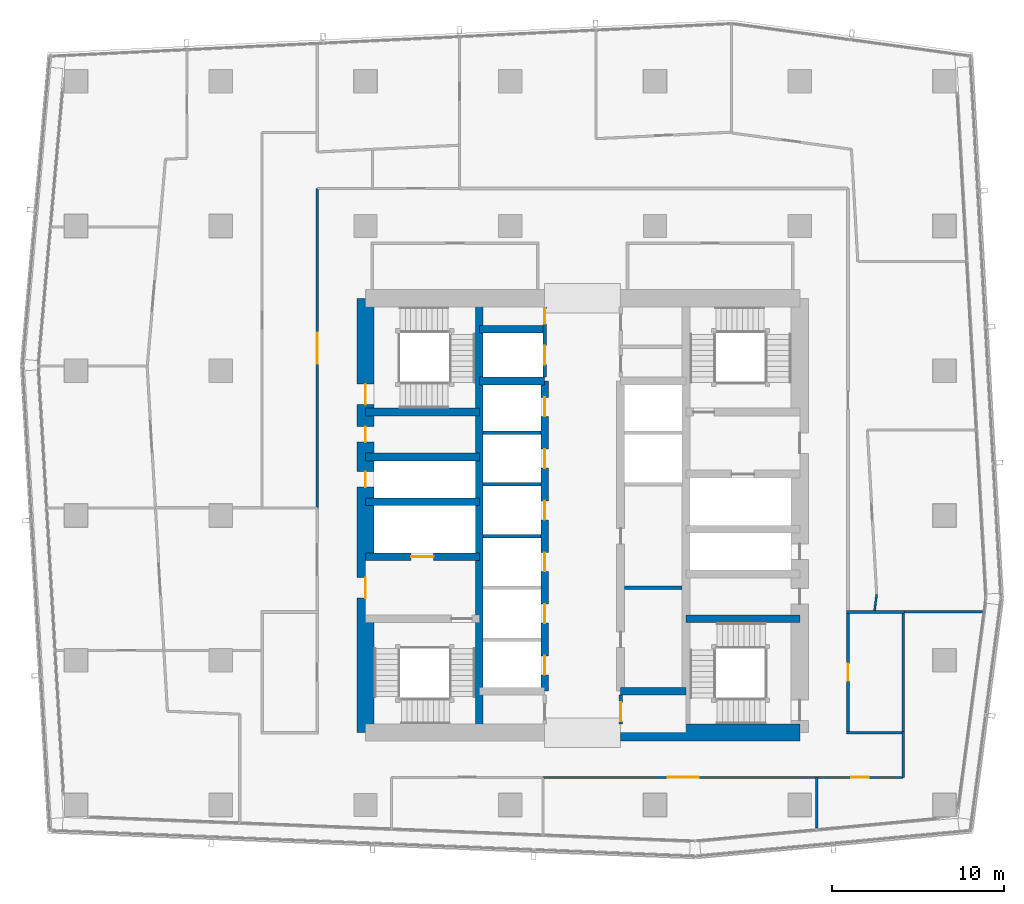
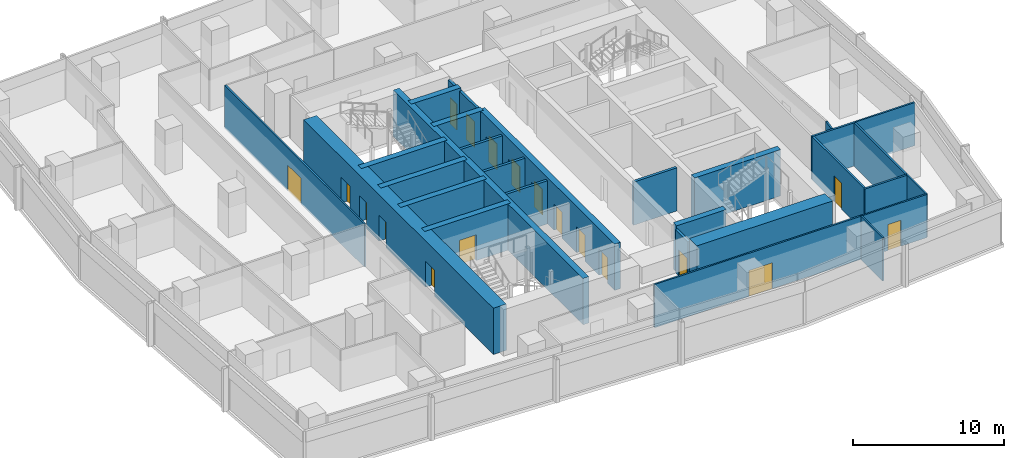
# One storey, part 28 of 39: 29 walls, 18 doors, 18 openings.
"""IFC4 building model written with IfcOpenShell, lengths in metres."""

from ifc_helpers import new_model, si_unit, direction, frame, frame_2d, origin, place, context, subcontext, project, spatial, rectangle, extrude, material, layer, layer_set, type_object, element, fill, save


model = new_model("IFC4")

# Units and contexts
model_context = context("Model", 3, precision=1e-05, world=origin(), true_north=direction((0.0, 1.0)))
body_context = subcontext(model_context, "Body", "Model", "MODEL_VIEW")
ifc_project = project(units=[si_unit("LENGTHUNIT", "METRE"), si_unit("AREAUNIT", "SQUARE_METRE"), si_unit("VOLUMEUNIT", "CUBIC_METRE"), si_unit("PLANEANGLEUNIT", "RADIAN"), si_unit("MASSUNIT", "GRAM", prefix="KILO")], contexts=[model_context])

# Site, building, storey
site_placement = place(None, origin())
site = spatial("IfcSite", under=ifc_project, at=site_placement, CompositionType="ELEMENT")
building_placement = place(site_placement, origin())
building = spatial("IfcBuilding", under=site, at=building_placement, Name="Rekha Terrace Tower", CompositionType="ELEMENT")
storey_placement = place(building_placement, frame((0.0, 0.0, 225.199951171875)))
storey = spatial("IfcBuildingStorey", under=building, at=storey_placement, Name="L57", CompositionType="ELEMENT", Elevation=225.199951171875)

# Wall
ifc_material_1 = material(Name="Concrete M60", Category="concrete")
ifc_layer_1 = layer(ifc_material_1, 0.449951171875)
ifc_layer_set_1 = layer_set([ifc_layer_1], Name="Concrete M60")
wall_type_1 = type_object("IfcWallType", Name="CI3 450 core internal shear wall", PredefinedType="SHEAR", material=ifc_layer_set_1)
wall_1_placement = place(storey_placement, frame((31.800048828125, 21.0, 0.0), z_axis=(0.0, 0.0, 1.0), x_axis=(0.0, 1.0, 0.0)))
element("IfcWall", 1, at=wall_1_placement, inside=storey, type_object=wall_type_1, Name="Core wall X318 L57", PredefinedType="SHEAR", context=body_context, shape_type="SweptSolid", body=[
    extrude(rectangle(XDim=25.199951171875, YDim=0.449951171875, at=frame_2d((12.60009765625, 0.0))), origin(), (0.0, 0.0, 1.0), 3.75),
])

# Wall, openings, doors
wall_2_placement = place(storey_placement, frame((35.60009765625, 23.39990234375, 0.0), z_axis=(0.0, 0.0, 1.0), x_axis=(0.0, 1.0, 0.0)))
wall_2 = element("IfcWall", 2, at=wall_2_placement, inside=storey, type_object=wall_type_1, Name="Core wall X356 L57", PredefinedType="SHEAR", context=body_context, shape_type="SweptSolid", body=[
    extrude(rectangle(XDim=18.0, YDim=0.449951171875, at=frame_2d((9.0, 0.0))), origin(), (0.0, 0.0, 1.0), 3.75),
])
opening_1_placement = place(wall_2_placement, frame((0.949951171875, 0.0, 0.0)))
opening_1 = element("IfcOpeningElement", 3, at=opening_1_placement, cuts=wall_2, Name="Opening LD1", PredefinedType="OPENING", context=body_context, shape_type="SweptSolid", body=[
    extrude(rectangle(XDim=1.10009765625, YDim=2.10009765625, at=frame_2d((0.550048828125, 1.050048828125))), frame((0.0, 0.23486328125, 0.0), z_axis=(0.0, -1.0, 0.0), x_axis=(1.0, 0.0, 0.0)), (0.0, 0.0, 1.0), 0.469970703125),
])
opening_2_placement = place(wall_2_placement, frame((3.949951171875, 0.0, 0.0)))
opening_2 = element("IfcOpeningElement", 4, at=opening_2_placement, cuts=wall_2, Name="Opening LD1", PredefinedType="OPENING", context=body_context, shape_type="SweptSolid", body=[
    extrude(rectangle(XDim=1.10009765625, YDim=2.10009765625, at=frame_2d((0.550048828125, 1.050048828125))), frame((0.0, 0.23486328125, 0.0), z_axis=(0.0, -1.0, 0.0), x_axis=(1.0, 0.0, 0.0)), (0.0, 0.0, 1.0), 0.469970703125),
])
opening_3_placement = place(wall_2_placement, frame((6.949951171875, 0.0, 0.0)))
opening_3 = element("IfcOpeningElement", 5, at=opening_3_placement, cuts=wall_2, Name="Opening LD1", PredefinedType="OPENING", context=body_context, shape_type="SweptSolid", body=[
    extrude(rectangle(XDim=1.10009765625, YDim=2.10009765625, at=frame_2d((0.550048828125, 1.050048828125))), frame((0.0, 0.23486328125, 0.0), z_axis=(0.0, -1.0, 0.0), x_axis=(1.0, 0.0, 0.0)), (0.0, 0.0, 1.0), 0.469970703125),
])
opening_4_placement = place(wall_2_placement, frame((9.949951171875, 0.0, 0.0)))
opening_4 = element("IfcOpeningElement", 6, at=opening_4_placement, cuts=wall_2, Name="Opening LD1", PredefinedType="OPENING", context=body_context, shape_type="SweptSolid", body=[
    extrude(rectangle(XDim=1.10009765625, YDim=2.10009765625, at=frame_2d((0.550048828125, 1.050048828125))), frame((0.0, 0.23486328125, 0.0), z_axis=(0.0, -1.0, 0.0), x_axis=(1.0, 0.0, 0.0)), (0.0, 0.0, 1.0), 0.469970703125),
])
opening_5_placement = place(wall_2_placement, frame((12.949951171875, 0.0, 0.0)))
opening_5 = element("IfcOpeningElement", 7, at=opening_5_placement, cuts=wall_2, Name="Opening LD1", PredefinedType="OPENING", context=body_context, shape_type="SweptSolid", body=[
    extrude(rectangle(XDim=1.10009765625, YDim=2.10009765625, at=frame_2d((0.550048828125, 1.050048828125))), frame((0.0, 0.23486328125, 0.0), z_axis=(0.0, -1.0, 0.0), x_axis=(1.0, 0.0, 0.0)), (0.0, 0.0, 1.0), 0.469970703125),
])
opening_6_placement = place(wall_2_placement, frame((15.949951171875, 0.0, 0.0)))
opening_6 = element("IfcOpeningElement", 8, at=opening_6_placement, cuts=wall_2, Name="Opening LD1", PredefinedType="OPENING", context=body_context, shape_type="SweptSolid", body=[
    extrude(rectangle(XDim=1.10009765625, YDim=2.10009765625, at=frame_2d((0.550048828125, 1.050048828125))), frame((0.0, 0.23486328125, 0.0), z_axis=(0.0, -1.0, 0.0), x_axis=(1.0, 0.0, 0.0)), (0.0, 0.0, 1.0), 0.469970703125),
])
ifc_material_2 = material(Name="Stainless steel sliding landing door", Category="steel")
door_type_1 = type_object("IfcDoorType", Name="LD1 1100x2100 lift landing door", OperationType="SLIDING_TO_LEFT", PredefinedType="USERDEFINED", material=ifc_material_2)
door_1_placement = place(opening_1_placement, origin())
door_1 = element("IfcDoor", 9, at=door_1_placement, inside=storey, type_object=door_type_1, Name="Lift C1 landing door L57", ObjectType="LIFT LANDING DOOR", OperationType="SLIDING_TO_LEFT", OverallHeight=2.10009765625, OverallWidth=1.10009765625, PredefinedType="USERDEFINED", context=body_context, shape_type="SweptSolid", body=[
    extrude(rectangle(XDim=1.10009765625, YDim=2.10009765625, at=frame_2d((0.550048828125, 1.050048828125))), frame((0.0, 0.02490234375, 0.0), z_axis=(0.0, -1.0, 0.0), x_axis=(1.0, 0.0, 0.0)), (0.0, 0.0, 1.0), 0.050048828125),
])
fill(opening_1, door_1)
door_2_placement = place(opening_2_placement, origin())
door_2 = element("IfcDoor", 10, at=door_2_placement, inside=storey, type_object=door_type_1, Name="Lift C2 landing door L57", ObjectType="LIFT LANDING DOOR", OperationType="SLIDING_TO_LEFT", OverallHeight=2.10009765625, OverallWidth=1.10009765625, PredefinedType="USERDEFINED", context=body_context, shape_type="SweptSolid", body=[
    extrude(rectangle(XDim=1.10009765625, YDim=2.10009765625, at=frame_2d((0.550048828125, 1.050048828125))), frame((0.0, 0.02490234375, 0.0), z_axis=(0.0, -1.0, 0.0), x_axis=(1.0, 0.0, 0.0)), (0.0, 0.0, 1.0), 0.050048828125),
])
fill(opening_2, door_2)
door_3_placement = place(opening_3_placement, origin())
door_3 = element("IfcDoor", 11, at=door_3_placement, inside=storey, type_object=door_type_1, Name="Lift C3 landing door L57", ObjectType="LIFT LANDING DOOR", OperationType="SLIDING_TO_LEFT", OverallHeight=2.10009765625, OverallWidth=1.10009765625, PredefinedType="USERDEFINED", context=body_context, shape_type="SweptSolid", body=[
    extrude(rectangle(XDim=1.10009765625, YDim=2.10009765625, at=frame_2d((0.550048828125, 1.050048828125))), frame((0.0, 0.02490234375, 0.0), z_axis=(0.0, -1.0, 0.0), x_axis=(1.0, 0.0, 0.0)), (0.0, 0.0, 1.0), 0.050048828125),
])
fill(opening_3, door_3)
door_4_placement = place(opening_4_placement, origin())
door_4 = element("IfcDoor", 12, at=door_4_placement, inside=storey, type_object=door_type_1, Name="Lift C4 landing door L57", ObjectType="LIFT LANDING DOOR", OperationType="SLIDING_TO_LEFT", OverallHeight=2.10009765625, OverallWidth=1.10009765625, PredefinedType="USERDEFINED", context=body_context, shape_type="SweptSolid", body=[
    extrude(rectangle(XDim=1.10009765625, YDim=2.10009765625, at=frame_2d((0.550048828125, 1.050048828125))), frame((0.0, 0.02490234375, 0.0), z_axis=(0.0, -1.0, 0.0), x_axis=(1.0, 0.0, 0.0)), (0.0, 0.0, 1.0), 0.050048828125),
])
fill(opening_4, door_4)
door_5_placement = place(opening_5_placement, origin())
door_5 = element("IfcDoor", 13, at=door_5_placement, inside=storey, type_object=door_type_1, Name="Lift C5 landing door L57", ObjectType="LIFT LANDING DOOR", OperationType="SLIDING_TO_LEFT", OverallHeight=2.10009765625, OverallWidth=1.10009765625, PredefinedType="USERDEFINED", context=body_context, shape_type="SweptSolid", body=[
    extrude(rectangle(XDim=1.10009765625, YDim=2.10009765625, at=frame_2d((0.550048828125, 1.050048828125))), frame((0.0, 0.02490234375, 0.0), z_axis=(0.0, -1.0, 0.0), x_axis=(1.0, 0.0, 0.0)), (0.0, 0.0, 1.0), 0.050048828125),
])
fill(opening_5, door_5)
door_6_placement = place(opening_6_placement, origin())
door_6 = element("IfcDoor", 14, at=door_6_placement, inside=storey, type_object=door_type_1, Name="Lift C6 landing door L57", ObjectType="LIFT LANDING DOOR", OperationType="SLIDING_TO_LEFT", OverallHeight=2.10009765625, OverallWidth=1.10009765625, PredefinedType="USERDEFINED", context=body_context, shape_type="SweptSolid", body=[
    extrude(rectangle(XDim=1.10009765625, YDim=2.10009765625, at=frame_2d((0.550048828125, 1.050048828125))), frame((0.0, 0.02490234375, 0.0), z_axis=(0.0, -1.0, 0.0), x_axis=(1.0, 0.0, 0.0)), (0.0, 0.0, 1.0), 0.050048828125),
])
fill(opening_6, door_6)

# Walls
for number, where, z_axis, x_axis, name in (
    (15, (31.800048828125, 41.39990234375, 0.0), (0.0, 0.0, 1.0), (1.0, 0.0, 0.0), "Core wall Y414W L57"),
    (16, (31.800048828125, 44.39990234375, 0.0), (0.0, 0.0, 1.0), (1.0, 0.0, 0.0), "Core wall Y444W L57"),
    (17, (40.0, 23.39990234375, 0.0), (0.0, 0.0, 1.0), (1.0, 0.0, 0.0), "Core wall Y234E L57"),
):
    element("IfcWall", number, at=place(storey_placement, frame(where, z_axis=z_axis, x_axis=x_axis)), inside=storey, type_object=wall_type_1, Name=name, PredefinedType="SHEAR", context=body_context, shape_type="SweptSolid", body=[
        extrude(rectangle(XDim=3.800048828125, YDim=0.449951171875, at=frame_2d((1.89990234375, 0.0))), origin(), (0.0, 0.0, 1.0), 3.75),
    ])

# Wall, opening, door
wall_3_placement = place(storey_placement, frame((25.199951171875, 31.199951171875, 0.0), z_axis=(0.0, 0.0, 1.0), x_axis=(1.0, 0.0, 0.0)))
wall_3 = element("IfcWall", 18, at=wall_3_placement, inside=storey, type_object=wall_type_1, Name="Core wall Y312W L57", PredefinedType="SHEAR", context=body_context, shape_type="SweptSolid", body=[
    extrude(rectangle(XDim=6.60009765625, YDim=0.449951171875, at=frame_2d((3.300048828125, 0.0))), origin(), (0.0, 0.0, 1.0), 3.75),
])
opening_7_placement = place(wall_3_placement, frame((2.64990234375, 0.0, 0.0)))
opening_7 = element("IfcOpeningElement", 19, at=opening_7_placement, cuts=wall_3, Name="Opening LD2", PredefinedType="OPENING", context=body_context, shape_type="SweptSolid", body=[
    extrude(rectangle(XDim=1.300048828125, YDim=2.10009765625, at=frame_2d((0.64990234375, 1.050048828125))), frame((0.0, 0.23486328125, 0.0), z_axis=(0.0, -1.0, 0.0), x_axis=(1.0, 0.0, 0.0)), (0.0, 0.0, 1.0), 0.469970703125),
])
door_type_2 = type_object("IfcDoorType", Name="LD2 1300x2100 fire lift landing door", OperationType="SLIDING_TO_LEFT", PredefinedType="USERDEFINED", material=ifc_material_2)
door_7_placement = place(opening_7_placement, origin())
door_7 = element("IfcDoor", 20, at=door_7_placement, inside=storey, type_object=door_type_2, Name="Lift FL1 landing door L57", ObjectType="LIFT LANDING DOOR", OperationType="SLIDING_TO_LEFT", OverallHeight=2.10009765625, OverallWidth=1.300048828125, PredefinedType="USERDEFINED", context=body_context, shape_type="SweptSolid", body=[
    extrude(rectangle(XDim=1.300048828125, YDim=2.10009765625, at=frame_2d((0.64990234375, 1.050048828125))), frame((0.0, 0.02490234375, 0.0), z_axis=(0.0, -1.0, 0.0), x_axis=(1.0, 0.0, 0.0)), (0.0, 0.0, 1.0), 0.050048828125),
])
fill(opening_7, door_7)

# Walls
for number, where, z_axis, x_axis, name in (
    (21, (25.199951171875, 34.39990234375, 0.0), (0.0, 0.0, 1.0), (1.0, 0.0, 0.0), "Core wall Y344W L57"),
    (22, (25.199951171875, 37.0, 0.0), (0.0, 0.0, 1.0), (1.0, 0.0, 0.0), "Core wall Y370W L57"),
    (23, (25.199951171875, 39.60009765625, 0.0), (0.0, 0.0, 1.0), (1.0, 0.0, 0.0), "Core wall Y396W L57"),
):
    element("IfcWall", number, at=place(storey_placement, frame(where, z_axis=z_axis, x_axis=x_axis)), inside=storey, type_object=wall_type_1, Name=name, PredefinedType="SHEAR", context=body_context, shape_type="SweptSolid", body=[
        extrude(rectangle(XDim=6.60009765625, YDim=0.449951171875, at=frame_2d((3.300048828125, 0.0))), origin(), (0.0, 0.0, 1.0), 3.75),
    ])
wall_4_placement = place(storey_placement, frame((43.800048828125, 27.60009765625, 0.0), z_axis=(0.0, 0.0, 1.0), x_axis=(1.0, 0.0, 0.0)))
element("IfcWall", 24, at=wall_4_placement, inside=storey, type_object=wall_type_1, Name="Core wall Y276E L57", PredefinedType="SHEAR", context=body_context, shape_type="SweptSolid", body=[
    extrude(rectangle(XDim=6.599853515625, YDim=0.449951171875, at=frame_2d((3.2998046875, 0.0))), origin(), (0.0, 0.0, 1.0), 3.75),
])
ifc_layer_2 = layer(ifc_material_1, 1.0)
ifc_layer_set_2 = layer_set([ifc_layer_2], Name="Concrete M60")
wall_type_2 = type_object("IfcWallType", Name="SW3 1000 core outer shear wall", PredefinedType="SHEAR", material=ifc_layer_set_2)
wall_5_placement = place(storey_placement, frame((40.0, 21.0, 0.0), z_axis=(0.0, 0.0, 1.0), x_axis=(1.0, 0.0, 0.0)))
element("IfcWall", 25, at=wall_5_placement, inside=storey, type_object=wall_type_2, Name="Core wall S2 L57", PredefinedType="SHEAR", context=body_context, shape_type="SweptSolid", body=[
    extrude(rectangle(XDim=10.39990234375, YDim=1.0, at=frame_2d((5.199951171875, 0.0))), origin(), (0.0, 0.0, 1.0), 3.75),
])

# Wall, openings, doors
wall_6_placement = place(storey_placement, frame((25.199951171875, 21.0, 0.0), z_axis=(0.0, 0.0, 1.0), x_axis=(0.0, 1.0, 0.0)))
wall_6 = element("IfcWall", 26, at=wall_6_placement, inside=storey, type_object=wall_type_2, Name="Core wall W L57", PredefinedType="SHEAR", context=body_context, shape_type="SweptSolid", body=[
    extrude(rectangle(XDim=25.199951171875, YDim=1.0, at=frame_2d((12.60009765625, 0.0))), origin(), (0.0, 0.0, 1.0), 3.75),
])
opening_8_placement = place(wall_6_placement, frame((7.800048828125, 0.0, 0.0)))
opening_8 = element("IfcOpeningElement", 27, at=opening_8_placement, cuts=wall_6, Name="Opening D2", PredefinedType="OPENING", context=body_context, shape_type="SweptSolid", body=[
    extrude(rectangle(XDim=1.199951171875, YDim=2.10009765625, at=frame_2d((0.60009765625, 1.050048828125))), frame((0.0, 0.510009765625, 0.0), z_axis=(0.0, -1.0, 0.0), x_axis=(1.0, 0.0, 0.0)), (0.0, 0.0, 1.0), 1.02001953125),
])
opening_9_placement = place(wall_6_placement, frame((14.25, 0.0, 0.0)))
opening_9 = element("IfcOpeningElement", 28, at=opening_9_placement, cuts=wall_6, Name="Opening D5", PredefinedType="OPENING", context=body_context, shape_type="SweptSolid", body=[
    extrude(rectangle(XDim=0.89990234375, YDim=2.10009765625, at=frame_2d((0.449951171875, 1.050048828125))), frame((0.0, 0.510009765625, 0.0), z_axis=(0.0, -1.0, 0.0), x_axis=(1.0, 0.0, 0.0)), (0.0, 0.0, 1.0), 1.02001953125),
])
opening_10_placement = place(wall_6_placement, frame((16.85009765625, 0.0, 0.0)))
opening_10 = element("IfcOpeningElement", 29, at=opening_10_placement, cuts=wall_6, Name="Opening D5", PredefinedType="OPENING", context=body_context, shape_type="SweptSolid", body=[
    extrude(rectangle(XDim=0.89990234375, YDim=2.10009765625, at=frame_2d((0.449951171875, 1.050048828125))), frame((0.0, 0.510009765625, 0.0), z_axis=(0.0, -1.0, 0.0), x_axis=(1.0, 0.0, 0.0)), (0.0, 0.0, 1.0), 1.02001953125),
])
opening_11_placement = place(wall_6_placement, frame((19.02490234375, 0.0, 0.0)))
opening_11 = element("IfcOpeningElement", 30, at=opening_11_placement, cuts=wall_6, Name="Opening D1", PredefinedType="OPENING", context=body_context, shape_type="SweptSolid", body=[
    extrude(rectangle(XDim=1.199951171875, YDim=2.10009765625, at=frame_2d((0.60009765625, 1.050048828125))), frame((0.0, 0.510009765625, 0.0), z_axis=(0.0, -1.0, 0.0), x_axis=(1.0, 0.0, 0.0)), (0.0, 0.0, 1.0), 1.02001953125),
])
ifc_material_3 = material(Name="Steel fire door", Category="steel")
door_type_3 = type_object("IfcDoorType", Name="D1 1200x2100 stair fire door", OperationType="SINGLE_SWING_RIGHT", PredefinedType="DOOR", material=ifc_material_3)
door_8_placement = place(opening_11_placement, origin())
door_8 = element("IfcDoor", 31, at=door_8_placement, inside=storey, type_object=door_type_3, Name="Stair ST4 door L57", OperationType="SINGLE_SWING_RIGHT", OverallHeight=2.10009765625, OverallWidth=1.199951171875, PredefinedType="DOOR", context=body_context, shape_type="SweptSolid", body=[
    extrude(rectangle(XDim=1.199951171875, YDim=2.10009765625, at=frame_2d((0.60009765625, 1.050048828125))), frame((0.0, 0.02490234375, 0.0), z_axis=(0.0, -1.0, 0.0), x_axis=(1.0, 0.0, 0.0)), (0.0, 0.0, 1.0), 0.050048828125),
])
fill(opening_11, door_8)
door_type_4 = type_object("IfcDoorType", Name="D2 1200x2100 firefighting lobby door", OperationType="SINGLE_SWING_LEFT", PredefinedType="DOOR", material=ifc_material_3)
door_9_placement = place(opening_8_placement, origin())
door_9 = element("IfcDoor", 32, at=door_9_placement, inside=storey, type_object=door_type_4, Name="Door flb1 L57", OperationType="SINGLE_SWING_LEFT", OverallHeight=2.10009765625, OverallWidth=1.199951171875, PredefinedType="DOOR", context=body_context, shape_type="SweptSolid", body=[
    extrude(rectangle(XDim=1.199951171875, YDim=2.10009765625, at=frame_2d((0.60009765625, 1.050048828125))), frame((0.0, 0.02490234375, 0.0), z_axis=(0.0, -1.0, 0.0), x_axis=(1.0, 0.0, 0.0)), (0.0, 0.0, 1.0), 0.050048828125),
])
fill(opening_8, door_9)
door_type_5 = type_object("IfcDoorType", Name="D5 900x2100 riser access door", OperationType="SINGLE_SWING_LEFT", PredefinedType="DOOR", material=ifc_material_3)
door_10_placement = place(opening_9_placement, origin())
door_10 = element("IfcDoor", 33, at=door_10_placement, inside=storey, type_object=door_type_5, Name="Door rs1 L57", OperationType="SINGLE_SWING_LEFT", OverallHeight=2.10009765625, OverallWidth=0.89990234375, PredefinedType="DOOR", context=body_context, shape_type="SweptSolid", body=[
    extrude(rectangle(XDim=0.89990234375, YDim=2.10009765625, at=frame_2d((0.449951171875, 1.050048828125))), frame((0.0, 0.02490234375, 0.0), z_axis=(0.0, -1.0, 0.0), x_axis=(1.0, 0.0, 0.0)), (0.0, 0.0, 1.0), 0.050048828125),
])
fill(opening_9, door_10)
door_11_placement = place(opening_10_placement, origin())
door_11 = element("IfcDoor", 34, at=door_11_placement, inside=storey, type_object=door_type_5, Name="Door elw L57", OperationType="SINGLE_SWING_LEFT", OverallHeight=2.10009765625, OverallWidth=0.89990234375, PredefinedType="DOOR", context=body_context, shape_type="SweptSolid", body=[
    extrude(rectangle(XDim=0.89990234375, YDim=2.10009765625, at=frame_2d((0.449951171875, 1.050048828125))), frame((0.0, 0.02490234375, 0.0), z_axis=(0.0, -1.0, 0.0), x_axis=(1.0, 0.0, 0.0)), (0.0, 0.0, 1.0), 0.050048828125),
])
fill(opening_10, door_11)

# Walls
ifc_material_4 = material(Name="Concrete block masonry, 1 hour", Category="masonry")
ifc_layer_3 = layer(ifc_material_4, 0.14990234375)
ifc_layer_set_3 = layer_set([ifc_layer_3], Name="Concrete block masonry, 1 hour")
wall_type_3 = type_object("IfcWallType", Name="WP2 150 tenancy partition", PredefinedType="PARTITIONING", material=ifc_layer_set_3)
for number, where, z_axis, x_axis, name in (
    (35, (53.125, 21.0, 0.0), (0.0, 0.0, 1.0), (1.0, 0.0, 0.0), "Men's WC wall L57"),
    (36, (53.125, 28.0, 0.0), (0.0, 0.0, 1.0), (1.0, 0.0, 0.0), "Men's WC wall L57"),
):
    element("IfcWall", number, at=place(storey_placement, frame(where, z_axis=z_axis, x_axis=x_axis)), inside=storey, type_object=wall_type_3, Name=name, PredefinedType="PARTITIONING", context=body_context, shape_type="SweptSolid", body=[
        extrude(rectangle(XDim=3.35009765625, YDim=0.14990234375, at=frame_2d((1.675048828125, 0.0))), origin(), (0.0, 0.0, 1.0), 3.5),
    ])

# Wall, opening, door
wall_7_placement = place(storey_placement, frame((53.199951171875, 21.074951171875, 0.0), z_axis=(0.0, 0.0, 1.0), x_axis=(0.0, 1.0, 0.0)))
wall_7 = element("IfcWall", 37, at=wall_7_placement, inside=storey, type_object=wall_type_3, Name="Men's WC wall L57", PredefinedType="PARTITIONING", context=body_context, shape_type="SweptSolid", body=[
    extrude(rectangle(XDim=6.85009765625, YDim=0.14990234375, at=frame_2d((3.425048828125, 0.0))), origin(), (0.0, 0.0, 1.0), 3.5),
])
opening_12_placement = place(wall_7_placement, frame((2.925048828125, 0.0, 0.0)))
opening_12 = element("IfcOpeningElement", 38, at=opening_12_placement, cuts=wall_7, Name="Opening D3", PredefinedType="OPENING", context=body_context, shape_type="SweptSolid", body=[
    extrude(rectangle(XDim=1.0, YDim=2.10009765625, at=frame_2d((0.5, 1.050048828125))), frame((0.0, 0.0849609375, 0.0), z_axis=(0.0, -1.0, 0.0), x_axis=(1.0, 0.0, 0.0)), (0.0, 0.0, 1.0), 0.169921875),
])
ifc_material_5 = material(Name="Laminated timber fire door", Category="wood")
door_type_6 = type_object("IfcDoorType", Name="D3 1000x2100 WC door", OperationType="SINGLE_SWING_LEFT", PredefinedType="DOOR", material=ifc_material_5)
door_12_placement = place(opening_12_placement, origin())
door_12 = element("IfcDoor", 39, at=door_12_placement, inside=storey, type_object=door_type_6, Name="Door men's wc L57", OperationType="SINGLE_SWING_LEFT", OverallHeight=2.10009765625, OverallWidth=1.0, PredefinedType="DOOR", context=body_context, shape_type="SweptSolid", body=[
    extrude(rectangle(XDim=1.0, YDim=2.10009765625, at=frame_2d((0.5, 1.050048828125))), frame((0.0, 0.02490234375, 0.0), z_axis=(0.0, -1.0, 0.0), x_axis=(1.0, 0.0, 0.0)), (0.0, 0.0, 1.0), 0.050048828125),
])
fill(opening_12, door_12)

# Wall
wall_8_placement = place(storey_placement, frame((56.39990234375, 21.074951171875, 0.0), z_axis=(0.0, 0.0, 1.0), x_axis=(0.0, 1.0, 0.0)))
element("IfcWall", 40, at=wall_8_placement, inside=storey, type_object=wall_type_3, Name="Men's WC wall L57", PredefinedType="PARTITIONING", context=body_context, shape_type="SweptSolid", body=[
    extrude(rectangle(XDim=6.85009765625, YDim=0.14990234375, at=frame_2d((3.425048828125, 0.0))), origin(), (0.0, 0.0, 1.0), 3.5),
])

# Wall, opening, door
ifc_material_6 = material(Name="Two layers of fire-rated gypsum board each side on steel studs, acoustic quilt, 1 hour", Category="steel")
ifc_layer_4 = layer(ifc_material_6, 0.125)
ifc_layer_set_4 = layer_set([ifc_layer_4], Name="Two layers of fire-rated gypsum board each side on steel studs, acoustic quilt, 1 hour")
wall_type_4 = type_object("IfcWallType", Name="WP3 125 office partition", PredefinedType="PARTITIONING", material=ifc_layer_set_4)
wall_9_placement = place(storey_placement, frame((35.508056640625, 18.39990234375, 0.0), z_axis=(0.0, 0.0, 1.0), x_axis=(1.0, 0.0, 0.0)))
wall_9 = element("IfcWall", 41, at=wall_9_placement, inside=storey, type_object=wall_type_4, Name="Partition L57-02", PredefinedType="PARTITIONING", context=body_context, shape_type="SweptSolid", body=[
    extrude(rectangle(XDim=15.875, YDim=0.125, at=frame_2d((7.9375, 0.0))), origin(), (0.0, 0.0, 1.0), 3.5),
])
opening_13_placement = place(wall_9_placement, frame((7.237060546875, 0.0, 0.0)))
opening_13 = element("IfcOpeningElement", 42, at=opening_13_placement, cuts=wall_9, Name="Opening D8", PredefinedType="OPENING", context=body_context, shape_type="SweptSolid", body=[
    extrude(rectangle(XDim=1.800048828125, YDim=2.10009765625, at=frame_2d((0.89990234375, 1.050048828125))), frame((0.0, 0.072509765625, 0.0), z_axis=(0.0, -1.0, 0.0), x_axis=(1.0, 0.0, 0.0)), (0.0, 0.0, 1.0), 0.14501953125),
])
ifc_material_7 = material(Name="Timber fire door", Category="wood")
door_type_7 = type_object("IfcDoorType", Name="D8 1800x2100 double leaf door", OperationType="DOUBLE_DOOR_SINGLE_SWING", PredefinedType="DOOR", material=ifc_material_7)
door_13_placement = place(opening_13_placement, origin())
door_13 = element("IfcDoor", 43, at=door_13_placement, inside=storey, type_object=door_type_7, Name="Door meeting room L57", OperationType="DOUBLE_DOOR_SINGLE_SWING", OverallHeight=2.10009765625, OverallWidth=1.800048828125, PredefinedType="DOOR", context=body_context, shape_type="SweptSolid", body=[
    extrude(rectangle(XDim=1.800048828125, YDim=2.10009765625, at=frame_2d((0.89990234375, 1.050048828125))), frame((0.0, 0.02490234375, 0.0), z_axis=(0.0, -1.0, 0.0), x_axis=(1.0, 0.0, 0.0)), (0.0, 0.0, 1.0), 0.050048828125),
])
fill(opening_13, door_13)

# Wall
wall_10_placement = place(storey_placement, frame((51.383056640625, 18.39990234375, 0.0), z_axis=(0.0, 0.0, 1.0), x_axis=(0.0, -1.0, 0.0)))
element("IfcWall", 44, at=wall_10_placement, inside=storey, type_object=wall_type_4, Name="Partition L57-02", PredefinedType="PARTITIONING", context=body_context, shape_type="SweptSolid", body=[
    extrude(rectangle(XDim=2.948974609375, YDim=0.125, at=frame_2d((1.474609375, 0.0))), origin(), (0.0, 0.0, 1.0), 3.5),
])

# Wall, opening, door
wall_11_placement = place(storey_placement, frame((51.383056640625, 18.39990234375, 0.0), z_axis=(0.0, 0.0, 1.0), x_axis=(1.0, 0.0, 0.0)))
wall_11 = element("IfcWall", 45, at=wall_11_placement, inside=storey, type_object=wall_type_4, Name="Partition L57-03", PredefinedType="PARTITIONING", context=body_context, shape_type="SweptSolid", body=[
    extrude(rectangle(XDim=5.016845703125, YDim=0.125, at=frame_2d((2.50830078125, 0.0))), origin(), (0.0, 0.0, 1.0), 3.5),
])
opening_14_placement = place(wall_11_placement, frame((2.008056640625, 0.0, 0.0)))
opening_14 = element("IfcOpeningElement", 46, at=opening_14_placement, cuts=wall_11, Name="Opening D9", PredefinedType="OPENING", context=body_context, shape_type="SweptSolid", body=[
    extrude(rectangle(XDim=1.0, YDim=2.10009765625, at=frame_2d((0.5, 1.050048828125))), frame((0.0, 0.072509765625, 0.0), z_axis=(0.0, -1.0, 0.0), x_axis=(1.0, 0.0, 0.0)), (0.0, 0.0, 1.0), 0.14501953125),
])
door_type_8 = type_object("IfcDoorType", Name="D9 1000x2100 office door", OperationType="SINGLE_SWING_LEFT", PredefinedType="DOOR", material=ifc_material_7)
door_14_placement = place(opening_14_placement, origin())
door_14 = element("IfcDoor", 47, at=door_14_placement, inside=storey, type_object=door_type_8, Name="Door director's office L57", OperationType="SINGLE_SWING_LEFT", OverallHeight=2.10009765625, OverallWidth=1.0, PredefinedType="DOOR", context=body_context, shape_type="SweptSolid", body=[
    extrude(rectangle(XDim=1.0, YDim=2.10009765625, at=frame_2d((0.5, 1.050048828125))), frame((0.0, 0.02490234375, 0.0), z_axis=(0.0, -1.0, 0.0), x_axis=(1.0, 0.0, 0.0)), (0.0, 0.0, 1.0), 0.050048828125),
])
fill(opening_14, door_14)

# Walls
wall_12_placement = place(storey_placement, frame((56.39990234375, 18.39990234375, 0.0), z_axis=(0.0, 0.0, 1.0), x_axis=(0.0, 1.0, 0.0)))
element("IfcWall", 48, at=wall_12_placement, inside=storey, type_object=wall_type_4, Name="Partition L57-03", PredefinedType="PARTITIONING", context=body_context, shape_type="SweptSolid", body=[
    extrude(rectangle(XDim=2.675048828125, YDim=0.125, at=frame_2d((1.33740234375, 0.0))), origin(), (0.0, 0.0, 1.0), 3.5),
])
wall_13_placement = place(storey_placement, frame((56.47607421875, 28.012939453125, 0.0), z_axis=(0.0, 0.0, 1.0), x_axis=(1.0, 0.0, 0.0)))
element("IfcWall", 49, at=wall_13_placement, inside=storey, type_object=wall_type_4, Name="Partition L57-03", PredefinedType="PARTITIONING", context=body_context, shape_type="SweptSolid", body=[
    extrude(rectangle(XDim=4.52783203125, YDim=0.125, at=frame_2d((2.263916015625, 0.0))), origin(), (0.0, 0.0, 1.0), 3.5),
])
wall_14_placement = place(storey_placement, frame((54.737060546875, 28.074951171875, 0.0), z_axis=(0.0, 0.0, 1.0), x_axis=(0.131524288557, 0.991312948326, 0.0)))
element("IfcWall", 50, at=wall_14_placement, inside=storey, type_object=wall_type_4, Name="Partition L57-04", PredefinedType="PARTITIONING", context=body_context, shape_type="SweptSolid", body=[
    extrude(rectangle(XDim=0.950439453125, YDim=0.125, at=frame_2d((0.47509765625, 0.0))), origin(), (0.0, 0.0, 1.0), 3.5),
])

# Wall, opening, door
wall_15_placement = place(storey_placement, frame((22.39990234375, 52.574951171875, 0.0), z_axis=(0.0, 0.0, 1.0), x_axis=(0.0, -1.0, 0.0)))
wall_15 = element("IfcWall", 51, at=wall_15_placement, inside=storey, type_object=wall_type_4, Name="Partition L57-13", PredefinedType="PARTITIONING", context=body_context, shape_type="SweptSolid", body=[
    extrude(rectangle(XDim=18.534912109375, YDim=0.125, at=frame_2d((9.267578125, 0.0))), origin(), (0.0, 0.0, 1.0), 3.5),
])
opening_15_placement = place(wall_15_placement, frame((8.366943359375, 0.0, 0.0)))
opening_15 = element("IfcOpeningElement", 52, at=opening_15_placement, cuts=wall_15, Name="Opening D8", PredefinedType="OPENING", context=body_context, shape_type="SweptSolid", body=[
    extrude(rectangle(XDim=1.800048828125, YDim=2.10009765625, at=frame_2d((0.89990234375, 1.050048828125))), frame((0.0, 0.072509765625, 0.0), z_axis=(0.0, -1.0, 0.0), x_axis=(1.0, 0.0, 0.0)), (0.0, 0.0, 1.0), 0.14501953125),
])
door_15_placement = place(opening_15_placement, origin())
door_15 = element("IfcDoor", 53, at=door_15_placement, inside=storey, type_object=door_type_7, Name="Door reception L57", OperationType="DOUBLE_DOOR_SINGLE_SWING", OverallHeight=2.10009765625, OverallWidth=1.800048828125, PredefinedType="DOOR", context=body_context, shape_type="SweptSolid", body=[
    extrude(rectangle(XDim=1.800048828125, YDim=2.10009765625, at=frame_2d((0.89990234375, 1.050048828125))), frame((0.0, 0.02490234375, 0.0), z_axis=(0.0, -1.0, 0.0), x_axis=(1.0, 0.0, 0.0)), (0.0, 0.0, 1.0), 0.050048828125),
])
fill(opening_15, door_15)

# Walls
ifc_material_8 = material(Name="Solid concrete block masonry, 2 hour", Category="masonry")
ifc_layer_5 = layer(ifc_material_8, 0.199951171875)
ifc_layer_set_5 = layer_set([ifc_layer_5], Name="Solid concrete block masonry, 2 hour")
wall_type_5 = type_object("IfcWallType", Name="WS1 200 stair and shaft enclosure", PredefinedType="PARTITIONING", material=ifc_layer_set_5)
for number, where, z_axis, x_axis, name in (
    (54, (32.02490234375, 32.39990234375, 0.0), (0.0, 0.0, 1.0), (1.0, 0.0, 0.0), "Lift shaft divider L57"),
    (55, (32.02490234375, 35.39990234375, 0.0), (0.0, 0.0, 1.0), (1.0, 0.0, 0.0), "Lift shaft divider L57"),
    (56, (32.02490234375, 38.39990234375, 0.0), (0.0, 0.0, 1.0), (1.0, 0.0, 0.0), "Lift shaft divider L57"),
):
    element("IfcWall", number, at=place(storey_placement, frame(where, z_axis=z_axis, x_axis=x_axis)), inside=storey, type_object=wall_type_5, Name=name, PredefinedType="PARTITIONING", context=body_context, shape_type="SweptSolid", body=[
        extrude(rectangle(XDim=3.35009765625, YDim=0.199951171875, at=frame_2d((1.675048828125, 0.0))), origin(), (0.0, 0.0, 1.0), 3.5),
    ])
wall_16_placement = place(storey_placement, frame((40.22509765625, 29.39990234375, 0.0), z_axis=(0.0, 0.0, 1.0), x_axis=(1.0, 0.0, 0.0)))
element("IfcWall", 57, at=wall_16_placement, inside=storey, type_object=wall_type_5, Name="Lift shaft divider L57", PredefinedType="PARTITIONING", context=body_context, shape_type="SweptSolid", body=[
    extrude(rectangle(XDim=3.349853515625, YDim=0.199951171875, at=frame_2d((1.6748046875, 0.0))), origin(), (0.0, 0.0, 1.0), 3.5),
])

# Wall, opening, door
wall_17_placement = place(storey_placement, frame((40.0, 21.5, 0.0), z_axis=(0.0, 0.0, 1.0), x_axis=(0.0, 1.0, 0.0)))
wall_17 = element("IfcWall", 58, at=wall_17_placement, inside=storey, type_object=wall_type_5, Name="Core partition wca L57", PredefinedType="PARTITIONING", context=body_context, shape_type="SweptSolid", body=[
    extrude(rectangle(XDim=1.675048828125, YDim=0.199951171875, at=frame_2d((0.83740234375, 0.0))), origin(), (0.0, 0.0, 1.0), 3.5),
])
opening_16_placement = place(wall_17_placement, frame((0.14990234375, 0.0, 0.0)))
opening_16 = element("IfcOpeningElement", 59, at=opening_16_placement, cuts=wall_17, Name="Opening D4", PredefinedType="OPENING", context=body_context, shape_type="SweptSolid", body=[
    extrude(rectangle(XDim=1.10009765625, YDim=2.10009765625, at=frame_2d((0.550048828125, 1.050048828125))), frame((0.0, 0.10986328125, 0.0), z_axis=(0.0, -1.0, 0.0), x_axis=(1.0, 0.0, 0.0)), (0.0, 0.0, 1.0), 0.219970703125),
])
door_type_9 = type_object("IfcDoorType", Name="D4 1100x2100 accessible WC door", OperationType="SLIDING_TO_LEFT", PredefinedType="DOOR", material=ifc_material_5)
door_16_placement = place(opening_16_placement, origin())
door_16 = element("IfcDoor", 60, at=door_16_placement, inside=storey, type_object=door_type_9, Name="Door wca L57", OperationType="SLIDING_TO_LEFT", OverallHeight=2.10009765625, OverallWidth=1.10009765625, PredefinedType="DOOR", context=body_context, shape_type="SweptSolid", body=[
    extrude(rectangle(XDim=1.10009765625, YDim=2.10009765625, at=frame_2d((0.550048828125, 1.050048828125))), frame((0.0, 0.02490234375, 0.0), z_axis=(0.0, -1.0, 0.0), x_axis=(1.0, 0.0, 0.0)), (0.0, 0.0, 1.0), 0.050048828125),
])
fill(opening_16, door_16)

# Wall, openings, doors
wall_18_placement = place(storey_placement, frame((35.60009765625, 41.625, 0.0), z_axis=(0.0, 0.0, 1.0), x_axis=(0.0, 1.0, 0.0)))
wall_18 = element("IfcWall", 61, at=wall_18_placement, inside=storey, type_object=wall_type_5, Name="Core partition jansv L57", PredefinedType="PARTITIONING", context=body_context, shape_type="SweptSolid", body=[
    extrude(rectangle(XDim=4.074951171875, YDim=0.199951171875, at=frame_2d((2.03759765625, 0.0))), origin(), (0.0, 0.0, 1.0), 3.5),
])
opening_17_placement = place(wall_18_placement, frame((3.087890625, 0.0, 0.0)))
opening_17 = element("IfcOpeningElement", 62, at=opening_17_placement, cuts=wall_18, Name="Opening D5", PredefinedType="OPENING", context=body_context, shape_type="SweptSolid", body=[
    extrude(rectangle(XDim=0.89990234375, YDim=2.10009765625, at=frame_2d((0.449951171875, 1.050048828125))), frame((0.0, 0.10986328125, 0.0), z_axis=(0.0, -1.0, 0.0), x_axis=(1.0, 0.0, 0.0)), (0.0, 0.0, 1.0), 0.219970703125),
])
opening_18_placement = place(wall_18_placement, frame((0.72509765625, 0.0, 0.0)))
opening_18 = element("IfcOpeningElement", 63, at=opening_18_placement, cuts=wall_18, Name="Opening LD1", PredefinedType="OPENING", context=body_context, shape_type="SweptSolid", body=[
    extrude(rectangle(XDim=1.10009765625, YDim=2.10009765625, at=frame_2d((0.550048828125, 1.050048828125))), frame((0.0, 0.10986328125, 0.0), z_axis=(0.0, -1.0, 0.0), x_axis=(1.0, 0.0, 0.0)), (0.0, 0.0, 1.0), 0.219970703125),
])
door_17_placement = place(opening_17_placement, origin())
door_17 = element("IfcDoor", 64, at=door_17_placement, inside=storey, type_object=door_type_5, Name="Door janitor room L57", OperationType="SINGLE_SWING_LEFT", OverallHeight=2.10009765625, OverallWidth=0.89990234375, PredefinedType="DOOR", context=body_context, shape_type="SweptSolid", body=[
    extrude(rectangle(XDim=0.89990234375, YDim=2.10009765625, at=frame_2d((0.449951171875, 1.050048828125))), frame((0.0, 0.02490234375, 0.0), z_axis=(0.0, -1.0, 0.0), x_axis=(1.0, 0.0, 0.0)), (0.0, 0.0, 1.0), 0.050048828125),
])
fill(opening_17, door_17)
door_18_placement = place(opening_18_placement, origin())
door_18 = element("IfcDoor", 65, at=door_18_placement, inside=storey, type_object=door_type_1, Name="Lift SV1 landing door L57", ObjectType="LIFT LANDING DOOR", OperationType="SLIDING_TO_LEFT", OverallHeight=2.10009765625, OverallWidth=1.10009765625, PredefinedType="USERDEFINED", context=body_context, shape_type="SweptSolid", body=[
    extrude(rectangle(XDim=1.10009765625, YDim=2.10009765625, at=frame_2d((0.550048828125, 1.050048828125))), frame((0.0, 0.02490234375, 0.0), z_axis=(0.0, -1.0, 0.0), x_axis=(1.0, 0.0, 0.0)), (0.0, 0.0, 1.0), 0.050048828125),
])
fill(opening_18, door_18)

save(model, "model.ifc")
